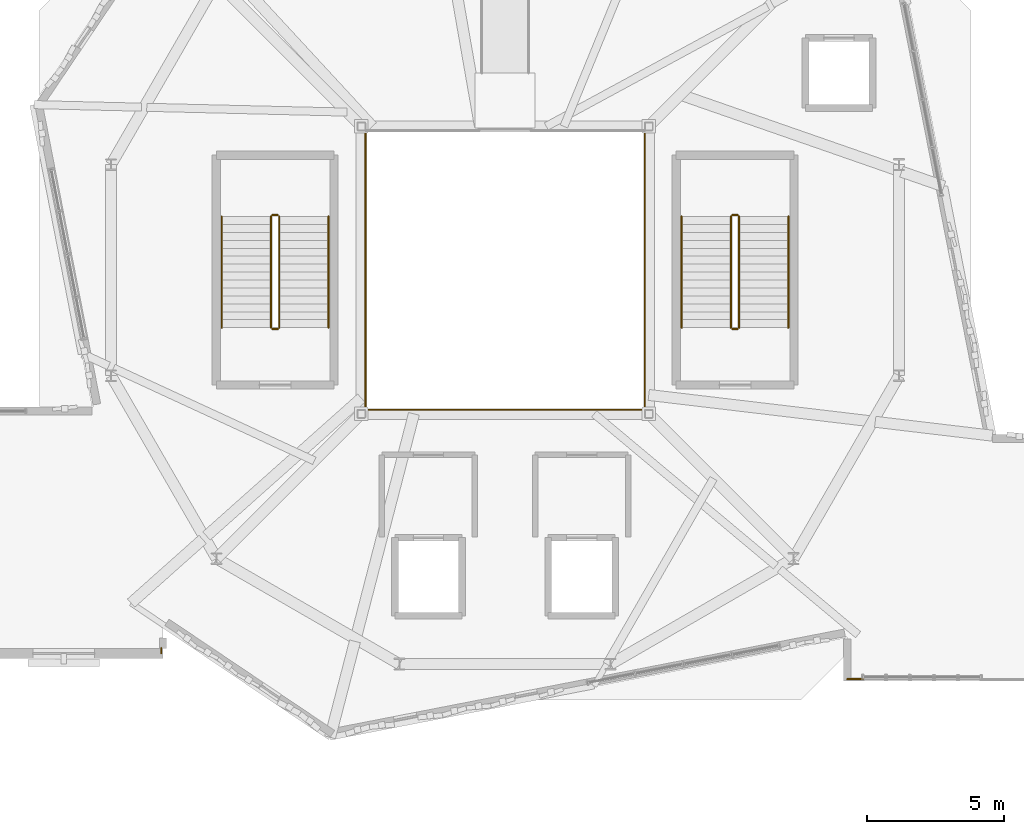
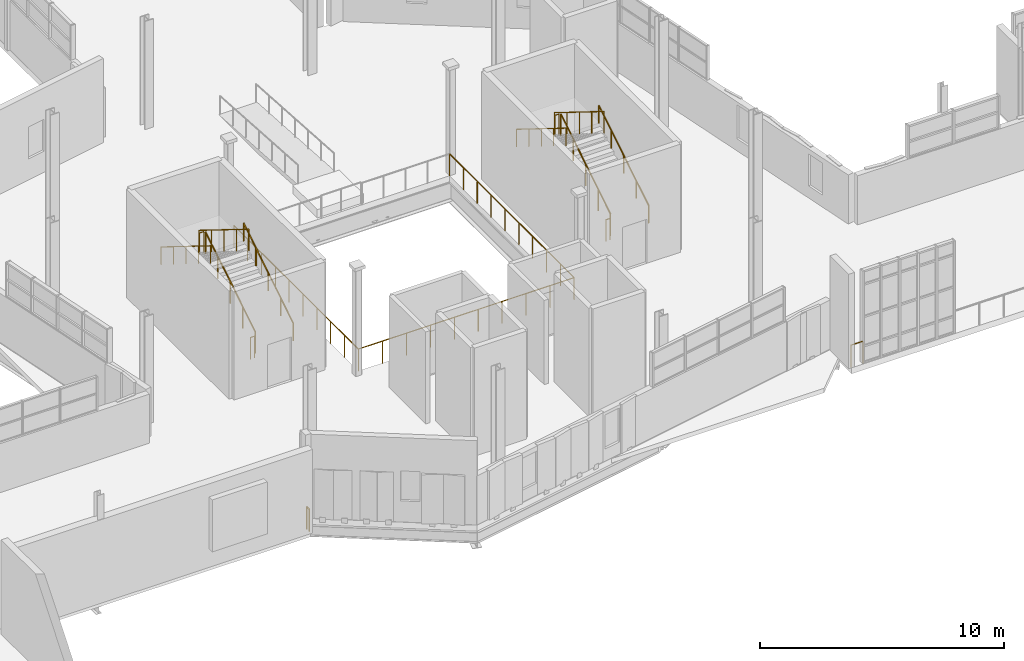
# One storey, part 134 of 142: 17 railings.
"""IFC4 building model written with IfcOpenShell, lengths in metres."""

from ifc_helpers import new_model, si_unit, direction, frame, origin, origin_2d, place, context, subcontext, project, spatial, circle, extrude, material, type_object, element, save


model = new_model("IFC4")

# Units and contexts
model_context = context("Model", 3, precision=1e-05, world=origin(), true_north=direction((0.0, 1.0)))
body_context = subcontext(model_context, "Body", "Model", "MODEL_VIEW")
ifc_project = project(units=[si_unit("LENGTHUNIT", "METRE"), si_unit("AREAUNIT", "SQUARE_METRE"), si_unit("VOLUMEUNIT", "CUBIC_METRE"), si_unit("PLANEANGLEUNIT", "RADIAN"), si_unit("MASSUNIT", "GRAM", prefix="KILO"), si_unit("THERMODYNAMICTEMPERATUREUNIT", "KELVIN"), si_unit("POWERUNIT", "WATT")], contexts=[model_context])

# Site, building, storey
site_placement = place(None, origin())
site = spatial("IfcSite", under=ifc_project, at=site_placement, CompositionType="ELEMENT")
building_placement = place(site_placement, origin())
building = spatial("IfcBuilding", under=site, at=building_placement, Name="Zelmaris Science Centre", CompositionType="ELEMENT")
storey_placement = place(building_placement, frame((0.0, 0.0, 5.39990234375)))
storey = spatial("IfcBuildingStorey", under=building, at=storey_placement, Name="L01", CompositionType="ELEMENT", Elevation=5.39990234375)

# Railings
ifc_material = material(Name="Architectural bronze alloy C28000")
railing_type_1 = type_object("IfcRailingType", Name="Balustrade GD-01 H1120", PredefinedType="BALUSTRADE", material=ifc_material)
railing_1_placement = place(storey_placement, frame((75.89990234375, 30.89990234375, 0.0)))
element("IfcRailing", 1, at=railing_1_placement, inside=storey, type_object=railing_type_1, Name="L01 Atrium void balustrade 1", PredefinedType="BALUSTRADE", context=body_context, shape_type="SweptSolid", body=[
    extrude(circle(Radius=0.02392578125, at=origin_2d()), frame((0.0, 0.0, 1.09619140625), z_axis=(1.0, 0.0, 0.0), x_axis=(0.0, 1.0, 0.0)), (0.0, 0.0, 1.0), 10.2001953125),
    extrude(circle(Radius=0.02099609375, at=origin_2d()), origin(), (0.0, 0.0, 1.0), 1.072021484375),
    extrude(circle(Radius=0.02099609375, at=origin_2d()), frame((1.13330078125, 0.0, 0.0)), (0.0, 0.0, 1.0), 1.072021484375),
    extrude(circle(Radius=0.02099609375, at=origin_2d()), frame((2.2666015625, 0.0, 0.0)), (0.0, 0.0, 1.0), 1.072021484375),
    extrude(circle(Radius=0.02099609375, at=origin_2d()), frame((3.400146484375, 0.0, 0.0)), (0.0, 0.0, 1.0), 1.072021484375),
    extrude(circle(Radius=0.02099609375, at=origin_2d()), frame((4.533447265625, 0.0, 0.0)), (0.0, 0.0, 1.0), 1.072021484375),
    extrude(circle(Radius=0.02099609375, at=origin_2d()), frame((5.666748046875, 0.0, 0.0)), (0.0, 0.0, 1.0), 1.072021484375),
    extrude(circle(Radius=0.02099609375, at=origin_2d()), frame((6.800048828125, 0.0, 0.0)), (0.0, 0.0, 1.0), 1.072021484375),
    extrude(circle(Radius=0.02099609375, at=origin_2d()), frame((7.93359375, 0.0, 0.0)), (0.0, 0.0, 1.0), 1.072021484375),
    extrude(circle(Radius=0.02099609375, at=origin_2d()), frame((9.06689453125, 0.0, 0.0)), (0.0, 0.0, 1.0), 1.072021484375),
    extrude(circle(Radius=0.02099609375, at=origin_2d()), frame((10.2001953125, 0.0, 0.0)), (0.0, 0.0, 1.0), 1.072021484375),
])
railing_2_placement = place(storey_placement, frame((86.10009765625, 30.89990234375, 0.0)))
element("IfcRailing", 2, at=railing_2_placement, inside=storey, type_object=railing_type_1, Name="L01 Atrium void balustrade 2", PredefinedType="BALUSTRADE", context=body_context, shape_type="SweptSolid", body=[
    extrude(circle(Radius=0.02392578125, at=origin_2d()), frame((0.0, 0.0, 1.09619140625), z_axis=(0.0, 1.0, 0.0), x_axis=(-1.0, 0.0, 0.0)), (0.0, 0.0, 1.0), 10.2001953125),
    extrude(circle(Radius=0.02099609375, at=origin_2d()), origin(), (0.0, 0.0, 1.0), 1.072021484375),
    extrude(circle(Radius=0.02099609375, at=origin_2d()), frame((0.0, 1.13330078125, 0.0)), (0.0, 0.0, 1.0), 1.072021484375),
    extrude(circle(Radius=0.02099609375, at=origin_2d()), frame((0.0, 2.2666015625, 0.0)), (0.0, 0.0, 1.0), 1.072021484375),
    extrude(circle(Radius=0.02099609375, at=origin_2d()), frame((0.0, 3.400146484375, 0.0)), (0.0, 0.0, 1.0), 1.072021484375),
    extrude(circle(Radius=0.02099609375, at=origin_2d()), frame((0.0, 4.533447265625, 0.0)), (0.0, 0.0, 1.0), 1.072021484375),
    extrude(circle(Radius=0.02099609375, at=origin_2d()), frame((0.0, 5.666748046875, 0.0)), (0.0, 0.0, 1.0), 1.072021484375),
    extrude(circle(Radius=0.02099609375, at=origin_2d()), frame((0.0, 6.800048828125, 0.0)), (0.0, 0.0, 1.0), 1.072021484375),
    extrude(circle(Radius=0.02099609375, at=origin_2d()), frame((0.0, 7.93359375, 0.0)), (0.0, 0.0, 1.0), 1.072021484375),
    extrude(circle(Radius=0.02099609375, at=origin_2d()), frame((0.0, 9.06689453125, 0.0)), (0.0, 0.0, 1.0), 1.072021484375),
    extrude(circle(Radius=0.02099609375, at=origin_2d()), frame((0.0, 10.2001953125, 0.0)), (0.0, 0.0, 1.0), 1.072021484375),
])
railing_3_placement = place(storey_placement, frame((75.89990234375, 41.10009765625, 0.0)))
element("IfcRailing", 3, at=railing_3_placement, inside=storey, type_object=railing_type_1, Name="L01 Atrium void balustrade 5", PredefinedType="BALUSTRADE", context=body_context, shape_type="SweptSolid", body=[
    extrude(circle(Radius=0.02392578125, at=origin_2d()), frame((0.0, 0.0, 1.09619140625), z_axis=(0.0, -1.0, 0.0), x_axis=(1.0, 0.0, 0.0)), (0.0, 0.0, 1.0), 10.2001953125),
    extrude(circle(Radius=0.02099609375, at=origin_2d()), origin(), (0.0, 0.0, 1.0), 1.072021484375),
    extrude(circle(Radius=0.02099609375, at=origin_2d()), frame((0.0, -1.13330078125, 0.0)), (0.0, 0.0, 1.0), 1.072021484375),
    extrude(circle(Radius=0.02099609375, at=origin_2d()), frame((0.0, -2.2666015625, 0.0)), (0.0, 0.0, 1.0), 1.072021484375),
    extrude(circle(Radius=0.02099609375, at=origin_2d()), frame((0.0, -3.400146484375, 0.0)), (0.0, 0.0, 1.0), 1.072021484375),
    extrude(circle(Radius=0.02099609375, at=origin_2d()), frame((0.0, -4.533447265625, 0.0)), (0.0, 0.0, 1.0), 1.072021484375),
    extrude(circle(Radius=0.02099609375, at=origin_2d()), frame((0.0, -5.666748046875, 0.0)), (0.0, 0.0, 1.0), 1.072021484375),
    extrude(circle(Radius=0.02099609375, at=origin_2d()), frame((0.0, -6.800048828125, 0.0)), (0.0, 0.0, 1.0), 1.072021484375),
    extrude(circle(Radius=0.02099609375, at=origin_2d()), frame((0.0, -7.93359375, 0.0)), (0.0, 0.0, 1.0), 1.072021484375),
    extrude(circle(Radius=0.02099609375, at=origin_2d()), frame((0.0, -9.06689453125, 0.0)), (0.0, 0.0, 1.0), 1.072021484375),
    extrude(circle(Radius=0.02099609375, at=origin_2d()), frame((0.0, -10.2001953125, 0.0)), (0.0, 0.0, 1.0), 1.072021484375),
])
railing_4_placement = place(storey_placement, frame((94.070068359375, 21.059814453125, 0.0)))
element("IfcRailing", 4, at=railing_4_placement, inside=storey, type_object=railing_type_1, Name="L01 Perimeter safety balustrade 92", PredefinedType="BALUSTRADE", context=body_context, shape_type="SweptSolid", body=[
    extrude(circle(Radius=0.02392578125, at=origin_2d()), frame((0.0, 0.0, 1.09619140625), z_axis=(-0.999999908294, 0.000428265485, 0.0), x_axis=(-0.000428265485, -0.999999908294, 0.0)), (0.0, 0.0, 1.0), 0.570068359375),
    extrude(circle(Radius=0.02099609375, at=origin_2d()), origin(), (0.0, 0.0, 1.0), 1.072021484375),
    extrude(circle(Radius=0.02099609375, at=origin_2d()), frame((-0.570068359375, 0.000244140625, 0.0)), (0.0, 0.0, 1.0), 1.072021484375),
])
railing_5_placement = place(storey_placement, frame((68.43994140625, 22.195068359375, 0.0)))
element("IfcRailing", 5, at=railing_5_placement, inside=storey, type_object=railing_type_1, Name="L01 Perimeter safety balustrade 93", PredefinedType="BALUSTRADE", context=body_context, shape_type="SweptSolid", body=[
    extrude(circle(Radius=0.02392578125, at=origin_2d()), frame((0.0, 0.0, 1.09619140625), z_axis=(0.0, -1.0, 0.0), x_axis=(1.0, 0.0, 0.0)), (0.0, 0.0, 1.0), 0.195068359375),
    extrude(circle(Radius=0.02099609375, at=origin_2d()), origin(), (0.0, 0.0, 1.0), 1.072021484375),
    extrude(circle(Radius=0.02099609375, at=origin_2d()), frame((0.0, -0.195068359375, 0.0)), (0.0, 0.0, 1.0), 1.072021484375),
])
railing_6_placement = place(storey_placement, frame((72.75, 33.89990234375, 0.18017578125)))
element("IfcRailing", 6, at=railing_6_placement, inside=storey, type_object=railing_type_1, Name="L01 ST-1 stair guard 1", PredefinedType="BALUSTRADE", context=body_context, shape_type="SweptSolid", body=[
    extrude(circle(Radius=0.02392578125, at=origin_2d()), frame((0.0, 0.0, 1.076171875), z_axis=(0.0, 0.849641744969, 0.527360318194), x_axis=(-1.0, 0.0, 0.0)), (0.0, 0.0, 1.0), 4.778564453125),
    extrude(circle(Radius=0.02099609375, at=origin_2d()), origin(), (0.0, 0.0, 1.0), 1.052001953125),
    extrude(circle(Radius=0.02099609375, at=origin_2d()), frame((0.0, 1.01513671875, 0.6298828125)), (0.0, 0.0, 1.0), 1.052001953125),
    extrude(circle(Radius=0.02099609375, at=origin_2d()), frame((0.0, 2.030029296875, 1.260009765625)), (0.0, 0.0, 1.0), 1.052001953125),
    extrude(circle(Radius=0.02099609375, at=origin_2d()), frame((0.0, 3.044921875, 1.89013671875)), (0.0, 0.0, 1.0), 1.052001953125),
    extrude(circle(Radius=0.02099609375, at=origin_2d()), frame((0.0, 4.06005859375, 2.52001953125)), (0.0, 0.0, 1.0), 1.052001953125),
])
railing_7_placement = place(storey_placement, frame((72.699951171875, 38.010009765625, 2.7001953125)))
element("IfcRailing", 7, at=railing_7_placement, inside=storey, type_object=railing_type_1, Name="L01 ST-1 stair guard 2", PredefinedType="BALUSTRADE", context=body_context, shape_type="SweptSolid", body=[
    extrude(circle(Radius=0.02392578125, at=origin_2d()), frame((0.0, 0.0, 1.076171875), z_axis=(-1.0, 0.0, 0.0), x_axis=(0.0, -1.0, 0.0)), (0.0, 0.0, 1.0), 0.199951171875),
    extrude(circle(Radius=0.02099609375, at=origin_2d()), origin(), (0.0, 0.0, 1.0), 1.052001953125),
    extrude(circle(Radius=0.02099609375, at=origin_2d()), frame((-0.199951171875, 0.0, 0.0)), (0.0, 0.0, 1.0), 1.052001953125),
])
railing_8_placement = place(storey_placement, frame((72.449951171875, 37.9599609375, 2.880126953125)))
element("IfcRailing", 8, at=railing_8_placement, inside=storey, type_object=railing_type_1, Name="L01 ST-1 stair guard 3", PredefinedType="BALUSTRADE", context=body_context, shape_type="SweptSolid", body=[
    extrude(circle(Radius=0.02392578125, at=origin_2d()), frame((0.0, 0.0, 1.076171875), z_axis=(0.0, -0.849641744969, 0.527360318194), x_axis=(1.0, 0.0, 0.0)), (0.0, 0.0, 1.0), 4.778564453125),
    extrude(circle(Radius=0.02099609375, at=origin_2d()), origin(), (0.0, 0.0, 1.0), 1.052001953125),
    extrude(circle(Radius=0.02099609375, at=origin_2d()), frame((0.0, -1.01513671875, 0.6298828125)), (0.0, 0.0, 1.0), 1.052001953125),
    extrude(circle(Radius=0.02099609375, at=origin_2d()), frame((0.0, -2.030029296875, 1.260009765625)), (0.0, 0.0, 1.0), 1.052001953125),
    extrude(circle(Radius=0.02099609375, at=origin_2d()), frame((0.0, -3.044921875, 1.89013671875)), (0.0, 0.0, 1.0), 1.052001953125),
    extrude(circle(Radius=0.02099609375, at=origin_2d()), frame((0.0, -4.06005859375, 2.52001953125)), (0.0, 0.0, 1.0), 1.052001953125),
])
railing_9_placement = place(storey_placement, frame((72.699951171875, 33.85009765625, 0.0)))
element("IfcRailing", 9, at=railing_9_placement, inside=storey, type_object=railing_type_1, Name="L01 ST-1 stair guard 4", PredefinedType="BALUSTRADE", context=body_context, shape_type="SweptSolid", body=[
    extrude(circle(Radius=0.02392578125, at=origin_2d()), frame((0.0, 0.0, 1.076171875), z_axis=(-1.0, 0.0, 0.0), x_axis=(0.0, -1.0, 0.0)), (0.0, 0.0, 1.0), 0.199951171875),
    extrude(circle(Radius=0.02099609375, at=origin_2d()), origin(), (0.0, 0.0, 1.0), 1.052001953125),
    extrude(circle(Radius=0.02099609375, at=origin_2d()), frame((-0.199951171875, 0.0, 0.0)), (0.0, 0.0, 1.0), 1.052001953125),
])
railing_10_placement = place(storey_placement, frame((89.550048828125, 33.89990234375, 0.18017578125)))
element("IfcRailing", 10, at=railing_10_placement, inside=storey, type_object=railing_type_1, Name="L01 ST-2 stair guard 1", PredefinedType="BALUSTRADE", context=body_context, shape_type="SweptSolid", body=[
    extrude(circle(Radius=0.02392578125, at=origin_2d()), frame((0.0, 0.0, 1.076171875), z_axis=(0.0, 0.849641744969, 0.527360318194), x_axis=(-1.0, 0.0, 0.0)), (0.0, 0.0, 1.0), 4.778564453125),
    extrude(circle(Radius=0.02099609375, at=origin_2d()), origin(), (0.0, 0.0, 1.0), 1.052001953125),
    extrude(circle(Radius=0.02099609375, at=origin_2d()), frame((0.0, 1.01513671875, 0.6298828125)), (0.0, 0.0, 1.0), 1.052001953125),
    extrude(circle(Radius=0.02099609375, at=origin_2d()), frame((0.0, 2.030029296875, 1.260009765625)), (0.0, 0.0, 1.0), 1.052001953125),
    extrude(circle(Radius=0.02099609375, at=origin_2d()), frame((0.0, 3.044921875, 1.89013671875)), (0.0, 0.0, 1.0), 1.052001953125),
    extrude(circle(Radius=0.02099609375, at=origin_2d()), frame((0.0, 4.06005859375, 2.52001953125)), (0.0, 0.0, 1.0), 1.052001953125),
])
railing_11_placement = place(storey_placement, frame((89.5, 38.010009765625, 2.7001953125)))
element("IfcRailing", 11, at=railing_11_placement, inside=storey, type_object=railing_type_1, Name="L01 ST-2 stair guard 2", PredefinedType="BALUSTRADE", context=body_context, shape_type="SweptSolid", body=[
    extrude(circle(Radius=0.02392578125, at=origin_2d()), frame((0.0, 0.0, 1.076171875), z_axis=(-1.0, 0.0, 0.0), x_axis=(0.0, -1.0, 0.0)), (0.0, 0.0, 1.0), 0.199951171875),
    extrude(circle(Radius=0.02099609375, at=origin_2d()), origin(), (0.0, 0.0, 1.0), 1.052001953125),
    extrude(circle(Radius=0.02099609375, at=origin_2d()), frame((-0.199951171875, 0.0, 0.0)), (0.0, 0.0, 1.0), 1.052001953125),
])
railing_12_placement = place(storey_placement, frame((89.25, 37.9599609375, 2.880126953125)))
element("IfcRailing", 12, at=railing_12_placement, inside=storey, type_object=railing_type_1, Name="L01 ST-2 stair guard 3", PredefinedType="BALUSTRADE", context=body_context, shape_type="SweptSolid", body=[
    extrude(circle(Radius=0.02392578125, at=origin_2d()), frame((0.0, 0.0, 1.076171875), z_axis=(0.0, -0.849641744969, 0.527360318194), x_axis=(1.0, 0.0, 0.0)), (0.0, 0.0, 1.0), 4.778564453125),
    extrude(circle(Radius=0.02099609375, at=origin_2d()), origin(), (0.0, 0.0, 1.0), 1.052001953125),
    extrude(circle(Radius=0.02099609375, at=origin_2d()), frame((0.0, -1.01513671875, 0.6298828125)), (0.0, 0.0, 1.0), 1.052001953125),
    extrude(circle(Radius=0.02099609375, at=origin_2d()), frame((0.0, -2.030029296875, 1.260009765625)), (0.0, 0.0, 1.0), 1.052001953125),
    extrude(circle(Radius=0.02099609375, at=origin_2d()), frame((0.0, -3.044921875, 1.89013671875)), (0.0, 0.0, 1.0), 1.052001953125),
    extrude(circle(Radius=0.02099609375, at=origin_2d()), frame((0.0, -4.06005859375, 2.52001953125)), (0.0, 0.0, 1.0), 1.052001953125),
])
railing_13_placement = place(storey_placement, frame((89.5, 33.85009765625, 0.0)))
element("IfcRailing", 13, at=railing_13_placement, inside=storey, type_object=railing_type_1, Name="L01 ST-2 stair guard 4", PredefinedType="BALUSTRADE", context=body_context, shape_type="SweptSolid", body=[
    extrude(circle(Radius=0.02392578125, at=origin_2d()), frame((0.0, 0.0, 1.076171875), z_axis=(-1.0, 0.0, 0.0), x_axis=(0.0, -1.0, 0.0)), (0.0, 0.0, 1.0), 0.199951171875),
    extrude(circle(Radius=0.02099609375, at=origin_2d()), origin(), (0.0, 0.0, 1.0), 1.052001953125),
    extrude(circle(Radius=0.02099609375, at=origin_2d()), frame((-0.199951171875, 0.0, 0.0)), (0.0, 0.0, 1.0), 1.052001953125),
])
railing_type_2 = type_object("IfcRailingType", Name="Handrail HR-01 H900", PredefinedType="HANDRAIL", material=ifc_material)
railing_14_placement = place(storey_placement, frame((74.550048828125, 33.89990234375, 0.18017578125)))
element("IfcRailing", 14, at=railing_14_placement, inside=storey, type_object=railing_type_2, Name="L01 ST-1 stair handrail 1", PredefinedType="HANDRAIL", context=body_context, shape_type="SweptSolid", body=[
    extrude(circle(Radius=0.02392578125, at=origin_2d()), frame((0.0, 0.0, 0.8759765625), z_axis=(0.0, 0.849641744969, 0.527360318194), x_axis=(-1.0, 0.0, 0.0)), (0.0, 0.0, 1.0), 4.778564453125),
    extrude(circle(Radius=0.02099609375, at=origin_2d()), origin(), (0.0, 0.0, 1.0), 0.851806640625),
    extrude(circle(Radius=0.02099609375, at=origin_2d()), frame((0.0, 1.01513671875, 0.6298828125)), (0.0, 0.0, 1.0), 0.851806640625),
    extrude(circle(Radius=0.02099609375, at=origin_2d()), frame((0.0, 2.030029296875, 1.260009765625)), (0.0, 0.0, 1.0), 0.851806640625),
    extrude(circle(Radius=0.02099609375, at=origin_2d()), frame((0.0, 3.044921875, 1.89013671875)), (0.0, 0.0, 1.0), 0.851806640625),
    extrude(circle(Radius=0.02099609375, at=origin_2d()), frame((0.0, 4.06005859375, 2.52001953125)), (0.0, 0.0, 1.0), 0.851806640625),
])
railing_15_placement = place(storey_placement, frame((70.64990234375, 37.9599609375, 2.880126953125)))
element("IfcRailing", 15, at=railing_15_placement, inside=storey, type_object=railing_type_2, Name="L01 ST-1 stair handrail 2", PredefinedType="HANDRAIL", context=body_context, shape_type="SweptSolid", body=[
    extrude(circle(Radius=0.02392578125, at=origin_2d()), frame((0.0, 0.0, 0.8759765625), z_axis=(0.0, -0.849641744969, 0.527360318194), x_axis=(1.0, 0.0, 0.0)), (0.0, 0.0, 1.0), 4.778564453125),
    extrude(circle(Radius=0.02099609375, at=origin_2d()), origin(), (0.0, 0.0, 1.0), 0.851806640625),
    extrude(circle(Radius=0.02099609375, at=origin_2d()), frame((0.0, -1.01513671875, 0.6298828125)), (0.0, 0.0, 1.0), 0.851806640625),
    extrude(circle(Radius=0.02099609375, at=origin_2d()), frame((0.0, -2.030029296875, 1.260009765625)), (0.0, 0.0, 1.0), 0.851806640625),
    extrude(circle(Radius=0.02099609375, at=origin_2d()), frame((0.0, -3.044921875, 1.89013671875)), (0.0, 0.0, 1.0), 0.851806640625),
    extrude(circle(Radius=0.02099609375, at=origin_2d()), frame((0.0, -4.06005859375, 2.52001953125)), (0.0, 0.0, 1.0), 0.851806640625),
])
railing_16_placement = place(storey_placement, frame((91.35009765625, 33.89990234375, 0.18017578125)))
element("IfcRailing", 16, at=railing_16_placement, inside=storey, type_object=railing_type_2, Name="L01 ST-2 stair handrail 1", PredefinedType="HANDRAIL", context=body_context, shape_type="SweptSolid", body=[
    extrude(circle(Radius=0.02392578125, at=origin_2d()), frame((0.0, 0.0, 0.8759765625), z_axis=(0.0, 0.849641744969, 0.527360318194), x_axis=(-1.0, 0.0, 0.0)), (0.0, 0.0, 1.0), 4.778564453125),
    extrude(circle(Radius=0.02099609375, at=origin_2d()), origin(), (0.0, 0.0, 1.0), 0.851806640625),
    extrude(circle(Radius=0.02099609375, at=origin_2d()), frame((0.0, 1.01513671875, 0.6298828125)), (0.0, 0.0, 1.0), 0.851806640625),
    extrude(circle(Radius=0.02099609375, at=origin_2d()), frame((0.0, 2.030029296875, 1.260009765625)), (0.0, 0.0, 1.0), 0.851806640625),
    extrude(circle(Radius=0.02099609375, at=origin_2d()), frame((0.0, 3.044921875, 1.89013671875)), (0.0, 0.0, 1.0), 0.851806640625),
    extrude(circle(Radius=0.02099609375, at=origin_2d()), frame((0.0, 4.06005859375, 2.52001953125)), (0.0, 0.0, 1.0), 0.851806640625),
])
railing_17_placement = place(storey_placement, frame((87.449951171875, 37.9599609375, 2.880126953125)))
element("IfcRailing", 17, at=railing_17_placement, inside=storey, type_object=railing_type_2, Name="L01 ST-2 stair handrail 2", PredefinedType="HANDRAIL", context=body_context, shape_type="SweptSolid", body=[
    extrude(circle(Radius=0.02392578125, at=origin_2d()), frame((0.0, 0.0, 0.8759765625), z_axis=(0.0, -0.849641744969, 0.527360318194), x_axis=(1.0, 0.0, 0.0)), (0.0, 0.0, 1.0), 4.778564453125),
    extrude(circle(Radius=0.02099609375, at=origin_2d()), origin(), (0.0, 0.0, 1.0), 0.851806640625),
    extrude(circle(Radius=0.02099609375, at=origin_2d()), frame((0.0, -1.01513671875, 0.6298828125)), (0.0, 0.0, 1.0), 0.851806640625),
    extrude(circle(Radius=0.02099609375, at=origin_2d()), frame((0.0, -2.030029296875, 1.260009765625)), (0.0, 0.0, 1.0), 0.851806640625),
    extrude(circle(Radius=0.02099609375, at=origin_2d()), frame((0.0, -3.044921875, 1.89013671875)), (0.0, 0.0, 1.0), 0.851806640625),
    extrude(circle(Radius=0.02099609375, at=origin_2d()), frame((0.0, -4.06005859375, 2.52001953125)), (0.0, 0.0, 1.0), 0.851806640625),
])

save(model, "model.ifc")
